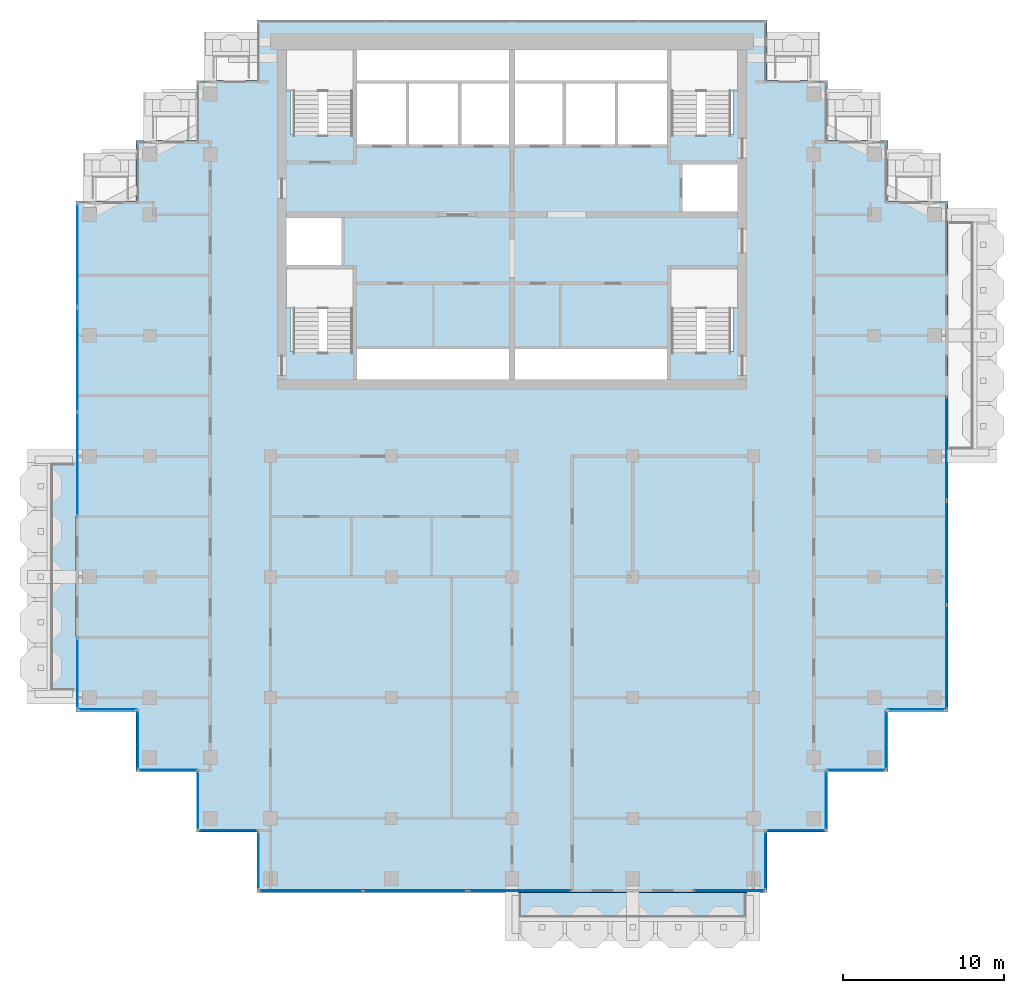
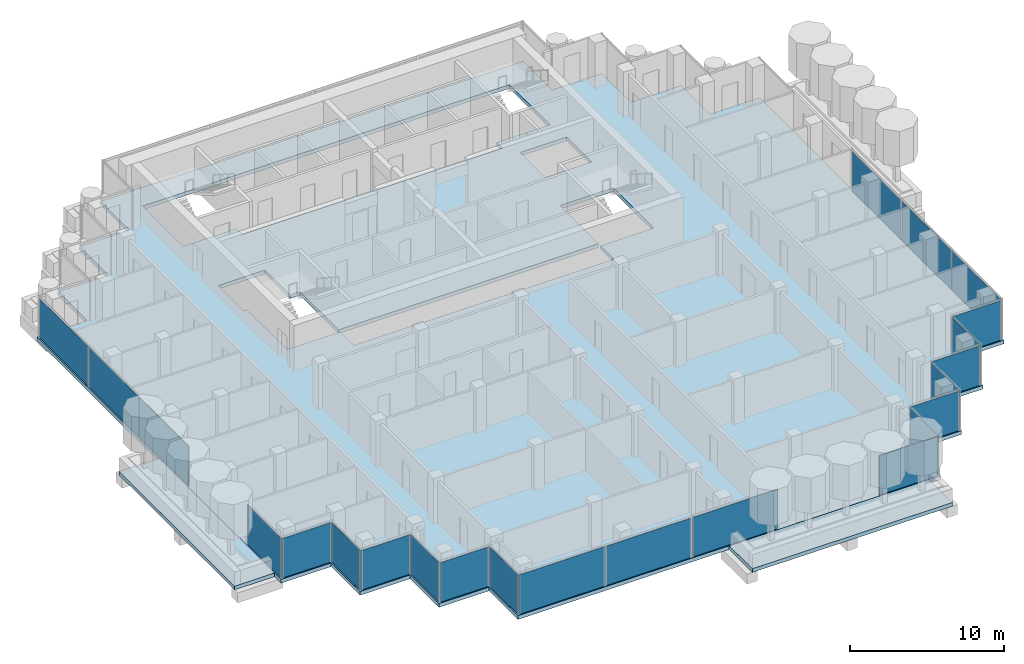
# One storey, part 8 of 19: 23 plates, 3 slabs, 20 elements without a shape of their own.
"""IFC4 building model written with IfcOpenShell, lengths in metres."""

from ifc_helpers import new_model, si_unit, direction, frame, origin, origin_2d, place, context, subcontext, project, spatial, polyline, rectangle, outline, extrude, material, layer, layer_set, type_object, element, aggregate, save


model = new_model("IFC4")

# Units and contexts
model_context = context("Model", 3, precision=1e-05, world=origin(), true_north=direction((0.0, 1.0)))
body_context = subcontext(model_context, "Body", "Model", "MODEL_VIEW")
ifc_project = project(units=[si_unit("LENGTHUNIT", "METRE"), si_unit("AREAUNIT", "SQUARE_METRE"), si_unit("VOLUMEUNIT", "CUBIC_METRE"), si_unit("PLANEANGLEUNIT", "RADIAN"), si_unit("MASSUNIT", "GRAM", prefix="KILO")], contexts=[model_context])

# Site, building, storey
site_placement = place(None, origin())
site = spatial("IfcSite", under=ifc_project, at=site_placement, CompositionType="ELEMENT")
building_placement = place(site_placement, origin())
building = spatial("IfcBuilding", under=site, at=building_placement, Name="Pilkhan Gate Tower", CompositionType="ELEMENT")
storey_placement = place(building_placement, frame((0.0, 0.0, 246.300048828125)))
storey = spatial("IfcBuildingStorey", under=building, at=storey_placement, Name="L64", CompositionType="ELEMENT", Elevation=246.300048828125)

# Slabs
ifc_material_1 = material(Name="Concrete C60/75", Category="concrete")
ifc_layer_1 = layer(ifc_material_1, 0.300048828125)
ifc_layer_set_1 = layer_set([ifc_layer_1], Name="Balcony tray slab TR300")
slab_type_1 = type_object("IfcSlabType", Name="Balcony tray slab TR300", PredefinedType="FLOOR", material=ifc_layer_set_1)
slab_1_placement = place(storey_placement, frame((0.0, 0.0, -0.300048828125)))
element("IfcSlab", 1, at=slab_1_placement, inside=storey, type_object=slab_type_1, Name="Balcony tray L64 S", PredefinedType="FLOOR", context=body_context, shape_type="SweptSolid", body=[
    extrude(outline(polyline([(90.0, 37.39990234375), (90.0, 40.39990234375), (75.0, 40.39990234375), (75.0, 37.39990234375), (90.0, 37.39990234375)])), origin(), (0.0, 0.0, 1.0), 0.300048828125),
])
slab_2_placement = place(storey_placement, frame((0.0, 0.0, -0.300048828125)))
element("IfcSlab", 2, at=slab_2_placement, inside=storey, type_object=slab_type_1, Name="Balcony tray L64 W", PredefinedType="FLOOR", context=body_context, shape_type="SweptSolid", body=[
    extrude(outline(polyline([(47.89990234375, 52.5), (47.89990234375, 67.5), (44.89990234375, 67.5), (44.89990234375, 52.5), (47.89990234375, 52.5)])), origin(), (0.0, 0.0, 1.0), 0.300048828125),
])
ifc_material_2 = material(Name="Concrete C40/50", Category="concrete")
ifc_layer_2 = layer(ifc_material_2, 0.300048828125)
ifc_layer_set_2 = layer_set([ifc_layer_2], Name="Flat plate slab FP300")
slab_type_2 = type_object("IfcSlabType", Name="Flat plate slab FP300", PredefinedType="FLOOR", material=ifc_layer_set_2)
slab_3_placement = place(storey_placement, frame((0.0, 0.0, -0.300048828125)))
element("IfcSlab", 3, at=slab_3_placement, inside=storey, type_object=slab_type_2, Name="Floor slab L64", PredefinedType="FLOOR", context=body_context, shape_type="SweptSolid", body=[
    extrude(outline(polyline([(98.35009765625, 47.89990234375), (94.60009765625, 47.89990234375), (94.60009765625, 44.14990234375), (90.85009765625, 44.14990234375), (90.85009765625, 40.39990234375), (59.14990234375, 40.39990234375), (59.14990234375, 44.14990234375), (55.39990234375, 44.14990234375), (55.39990234375, 47.89990234375), (51.64990234375, 47.89990234375), (51.64990234375, 51.64990234375), (47.89990234375, 51.64990234375), (47.89990234375, 83.35009765625), (51.64990234375, 83.35009765625), (51.64990234375, 87.10009765625), (55.39990234375, 87.10009765625), (55.39990234375, 90.85009765625), (59.14990234375, 90.85009765625), (59.14990234375, 94.60009765625), (90.85009765625, 94.60009765625), (90.85009765625, 90.85009765625), (94.60009765625, 90.85009765625), (94.60009765625, 87.10009765625), (98.35009765625, 87.10009765625), (98.35009765625, 83.35009765625), (102.10009765625, 83.35009765625), (102.10009765625, 51.64990234375), (98.35009765625, 51.64990234375), (98.35009765625, 47.89990234375)]), holes=[polyline([(75.0, 72.25), (84.75, 72.25), (84.75, 74.0), (88.75, 74.0), (88.75, 79.25), (84.75, 79.25), (84.75, 74.25), (75.0, 74.25), (65.25, 74.25), (65.25, 79.25), (64.5, 79.25), (64.5, 82.5), (61.25, 82.5), (61.0, 82.5), (61.0, 79.25), (61.25, 79.25), (61.25, 74.0), (65.25, 74.0), (65.25, 72.25), (75.0, 72.25)]), polyline([(68.5, 86.75), (71.75, 86.75), (75.0, 86.75), (78.25, 86.75), (81.5, 86.75), (84.75, 86.75), (84.75, 87.5), (88.75, 87.5), (88.75, 92.75), (84.75, 92.75), (75.0, 92.75), (65.25, 92.75), (61.25, 92.75), (61.25, 87.5), (65.25, 87.5), (65.25, 86.75), (68.5, 86.75)]), polyline([(85.5, 85.75), (85.5, 82.5), (88.75, 82.5), (89.0, 82.5), (89.0, 85.75), (88.75, 85.75), (85.5, 85.75)])]), origin(), (0.0, 0.0, 1.0), 0.300048828125),
])

# Curtain wall, plates
ifc_material_3 = material(Name="Pale anodised aluminium, clear low-iron double glazing", Category="aluminium")
curtain_wall_type = type_object("IfcCurtainWallType", Name="Office unitised curtain wall CW-O2", PredefinedType="USERDEFINED", material=ifc_material_3)
curtain_wall_1_placement = place(storey_placement, origin())
curtain_wall_1 = element("IfcCurtainWall", 4, at=curtain_wall_1_placement, inside=storey, type_object=curtain_wall_type, Name="Office unitised curtain wall CW-O2 L64 E", ObjectType="UNITISED CURTAIN WALL", PredefinedType="USERDEFINED")
ifc_material_4 = material(Name="Clear low-iron double glazing", Category="glass")
ifc_layer_3 = layer(ifc_material_4, 0.031982421875)
ifc_layer_set_3 = layer_set([ifc_layer_3], Name="Glass panel CW-O2 32")
plate_type = type_object("IfcPlateType", Name="Glass panel CW-O2 32", PredefinedType="CURTAIN_PANEL", material=ifc_layer_set_3)
plate_1_placement = place(storey_placement, frame((102.0, 55.016357421875, 0.0), z_axis=(0.0, 0.0, 1.0), x_axis=(0.0, 1.0, 0.0)))
plate_1 = element("IfcPlate", 5, at=plate_1_placement, type_object=plate_type, Name="CW-O2 panel 1", PredefinedType="CURTAIN_PANEL", context=body_context, shape_type="SweptSolid", body=[
    extrude(rectangle(XDim=6.402587890625, YDim=0.031982421875, at=origin_2d()), origin(), (0.0, 0.0, 1.0), 3.135009765625),
])
plate_2_placement = place(storey_placement, frame((102.0, 61.483642578125, 0.0), z_axis=(0.0, 0.0, 1.0), x_axis=(0.0, 1.0, 0.0)))
plate_2 = element("IfcPlate", 6, at=plate_2_placement, type_object=plate_type, Name="CW-O2 panel 2", PredefinedType="CURTAIN_PANEL", context=body_context, shape_type="SweptSolid", body=[
    extrude(rectangle(XDim=6.402587890625, YDim=0.031982421875, at=origin_2d()), origin(), (0.0, 0.0, 1.0), 3.135009765625),
])
aggregate(curtain_wall_1, [plate_1, plate_2])

# Curtain wall, plate
curtain_wall_2_placement = place(storey_placement, origin())
curtain_wall_2 = element("IfcCurtainWall", 7, at=curtain_wall_2_placement, inside=storey, type_object=curtain_wall_type, Name="Office unitised curtain wall CW-O2 L64 E", ObjectType="UNITISED CURTAIN WALL", PredefinedType="USERDEFINED")
plate_3_placement = place(storey_placement, frame((102.0, 68.0, 0.0), z_axis=(0.0, 0.0, 1.0), x_axis=(0.0, 1.0, 0.0)))
plate_3 = element("IfcPlate", 8, at=plate_3_placement, type_object=plate_type, Name="CW-O2 panel 1", PredefinedType="CURTAIN_PANEL", context=body_context, shape_type="SweptSolid", body=[
    extrude(rectangle(XDim=6.3701171875, YDim=0.031982421875, at=origin_2d()), origin(), (0.0, 0.0, 1.0), 3.135009765625),
])
aggregate(curtain_wall_2, [plate_3])

curtain_wall_3_placement = place(storey_placement, origin())
curtain_wall_3 = element("IfcCurtainWall", 9, at=curtain_wall_3_placement, inside=storey, type_object=curtain_wall_type, Name="Office unitised curtain wall CW-O2 L64 W", ObjectType="UNITISED CURTAIN WALL", PredefinedType="USERDEFINED")
plate_4_placement = place(storey_placement, frame((48.0, 54.0, 0.0), z_axis=(0.0, 0.0, 1.0), x_axis=(0.0, 1.0, 0.0)))
plate_4 = element("IfcPlate", 10, at=plate_4_placement, type_object=plate_type, Name="CW-O2 panel 1", PredefinedType="CURTAIN_PANEL", context=body_context, shape_type="SweptSolid", body=[
    extrude(rectangle(XDim=4.3701171875, YDim=0.031982421875, at=origin_2d()), origin(), (0.0, 0.0, 1.0), 3.135009765625),
])
aggregate(curtain_wall_3, [plate_4])

# Curtain wall, plates
curtain_wall_4_placement = place(storey_placement, origin())
curtain_wall_4 = element("IfcCurtainWall", 11, at=curtain_wall_4_placement, inside=storey, type_object=curtain_wall_type, Name="Office unitised curtain wall CW-O2 L64 W", ObjectType="UNITISED CURTAIN WALL", PredefinedType="USERDEFINED")
plate_5_placement = place(storey_placement, frame((48.0, 67.016357421875, 0.0), z_axis=(0.0, 0.0, 1.0), x_axis=(0.0, 1.0, 0.0)))
plate_5 = element("IfcPlate", 12, at=plate_5_placement, type_object=plate_type, Name="CW-O2 panel 1", PredefinedType="CURTAIN_PANEL", context=body_context, shape_type="SweptSolid", body=[
    extrude(rectangle(XDim=6.402587890625, YDim=0.031982421875, at=origin_2d()), origin(), (0.0, 0.0, 1.0), 3.135009765625),
])
plate_6_placement = place(storey_placement, frame((48.0, 73.483642578125, 0.0), z_axis=(0.0, 0.0, 1.0), x_axis=(0.0, 1.0, 0.0)))
plate_6 = element("IfcPlate", 13, at=plate_6_placement, type_object=plate_type, Name="CW-O2 panel 2", PredefinedType="CURTAIN_PANEL", context=body_context, shape_type="SweptSolid", body=[
    extrude(rectangle(XDim=6.402587890625, YDim=0.031982421875, at=origin_2d()), origin(), (0.0, 0.0, 1.0), 3.135009765625),
])
aggregate(curtain_wall_4, [plate_5, plate_6])

# Curtain wall, plate
curtain_wall_5_placement = place(storey_placement, origin())
curtain_wall_5 = element("IfcCurtainWall", 14, at=curtain_wall_5_placement, inside=storey, type_object=curtain_wall_type, Name="Office unitised curtain wall CW-O2 L64 W", ObjectType="UNITISED CURTAIN WALL", PredefinedType="USERDEFINED")
plate_7_placement = place(storey_placement, frame((48.0, 80.0, 0.0), z_axis=(0.0, 0.0, 1.0), x_axis=(0.0, 1.0, 0.0)))
plate_7 = element("IfcPlate", 15, at=plate_7_placement, type_object=plate_type, Name="CW-O2 panel 1", PredefinedType="CURTAIN_PANEL", context=body_context, shape_type="SweptSolid", body=[
    extrude(rectangle(XDim=6.3701171875, YDim=0.031982421875, at=origin_2d()), origin(), (0.0, 0.0, 1.0), 3.135009765625),
])
aggregate(curtain_wall_5, [plate_7])

curtain_wall_6_placement = place(storey_placement, origin())
curtain_wall_6 = element("IfcCurtainWall", 16, at=curtain_wall_6_placement, inside=storey, type_object=curtain_wall_type, Name="Office unitised curtain wall CW-O2 L64 S", ObjectType="UNITISED CURTAIN WALL", PredefinedType="USERDEFINED")
plate_8_placement = place(storey_placement, frame((49.875, 51.75, 0.0), z_axis=(0.0, 0.0, 1.0), x_axis=(1.0, 0.0, 0.0)))
plate_8 = element("IfcPlate", 17, at=plate_8_placement, type_object=plate_type, Name="CW-O2 panel 1", PredefinedType="CURTAIN_PANEL", context=body_context, shape_type="SweptSolid", body=[
    extrude(rectangle(XDim=3.6201171875, YDim=0.031982421875, at=origin_2d()), origin(), (0.0, 0.0, 1.0), 3.135009765625),
])
aggregate(curtain_wall_6, [plate_8])

curtain_wall_7_placement = place(storey_placement, origin())
curtain_wall_7 = element("IfcCurtainWall", 18, at=curtain_wall_7_placement, inside=storey, type_object=curtain_wall_type, Name="Office unitised curtain wall CW-O2 L64 W", ObjectType="UNITISED CURTAIN WALL", PredefinedType="USERDEFINED")
plate_9_placement = place(storey_placement, frame((51.75, 49.875, 0.0), z_axis=(0.0, 0.0, 1.0), x_axis=(0.0, 1.0, 0.0)))
plate_9 = element("IfcPlate", 19, at=plate_9_placement, type_object=plate_type, Name="CW-O2 panel 1", PredefinedType="CURTAIN_PANEL", context=body_context, shape_type="SweptSolid", body=[
    extrude(rectangle(XDim=3.6201171875, YDim=0.031982421875, at=origin_2d()), origin(), (0.0, 0.0, 1.0), 3.135009765625),
])
aggregate(curtain_wall_7, [plate_9])

curtain_wall_8_placement = place(storey_placement, origin())
curtain_wall_8 = element("IfcCurtainWall", 20, at=curtain_wall_8_placement, inside=storey, type_object=curtain_wall_type, Name="Office unitised curtain wall CW-O2 L64 S", ObjectType="UNITISED CURTAIN WALL", PredefinedType="USERDEFINED")
plate_10_placement = place(storey_placement, frame((53.625, 48.0, 0.0), z_axis=(0.0, 0.0, 1.0), x_axis=(1.0, 0.0, 0.0)))
plate_10 = element("IfcPlate", 21, at=plate_10_placement, type_object=plate_type, Name="CW-O2 panel 1", PredefinedType="CURTAIN_PANEL", context=body_context, shape_type="SweptSolid", body=[
    extrude(rectangle(XDim=3.6201171875, YDim=0.031982421875, at=origin_2d()), origin(), (0.0, 0.0, 1.0), 3.135009765625),
])
aggregate(curtain_wall_8, [plate_10])

curtain_wall_9_placement = place(storey_placement, origin())
curtain_wall_9 = element("IfcCurtainWall", 22, at=curtain_wall_9_placement, inside=storey, type_object=curtain_wall_type, Name="Office unitised curtain wall CW-O2 L64 W", ObjectType="UNITISED CURTAIN WALL", PredefinedType="USERDEFINED")
plate_11_placement = place(storey_placement, frame((55.5, 46.125, 0.0), z_axis=(0.0, 0.0, 1.0), x_axis=(0.0, 1.0, 0.0)))
plate_11 = element("IfcPlate", 23, at=plate_11_placement, type_object=plate_type, Name="CW-O2 panel 1", PredefinedType="CURTAIN_PANEL", context=body_context, shape_type="SweptSolid", body=[
    extrude(rectangle(XDim=3.6201171875, YDim=0.031982421875, at=origin_2d()), origin(), (0.0, 0.0, 1.0), 3.135009765625),
])
aggregate(curtain_wall_9, [plate_11])

curtain_wall_10_placement = place(storey_placement, origin())
curtain_wall_10 = element("IfcCurtainWall", 24, at=curtain_wall_10_placement, inside=storey, type_object=curtain_wall_type, Name="Office unitised curtain wall CW-O2 L64 S", ObjectType="UNITISED CURTAIN WALL", PredefinedType="USERDEFINED")
plate_12_placement = place(storey_placement, frame((57.375, 44.25, 0.0), z_axis=(0.0, 0.0, 1.0), x_axis=(1.0, 0.0, 0.0)))
plate_12 = element("IfcPlate", 25, at=plate_12_placement, type_object=plate_type, Name="CW-O2 panel 1", PredefinedType="CURTAIN_PANEL", context=body_context, shape_type="SweptSolid", body=[
    extrude(rectangle(XDim=3.6201171875, YDim=0.031982421875, at=origin_2d()), origin(), (0.0, 0.0, 1.0), 3.135009765625),
])
aggregate(curtain_wall_10, [plate_12])

curtain_wall_11_placement = place(storey_placement, origin())
curtain_wall_11 = element("IfcCurtainWall", 26, at=curtain_wall_11_placement, inside=storey, type_object=curtain_wall_type, Name="Office unitised curtain wall CW-O2 L64 W", ObjectType="UNITISED CURTAIN WALL", PredefinedType="USERDEFINED")
plate_13_placement = place(storey_placement, frame((59.25, 42.375, 0.0), z_axis=(0.0, 0.0, 1.0), x_axis=(0.0, 1.0, 0.0)))
plate_13 = element("IfcPlate", 27, at=plate_13_placement, type_object=plate_type, Name="CW-O2 panel 1", PredefinedType="CURTAIN_PANEL", context=body_context, shape_type="SweptSolid", body=[
    extrude(rectangle(XDim=3.6201171875, YDim=0.031982421875, at=origin_2d()), origin(), (0.0, 0.0, 1.0), 3.135009765625),
])
aggregate(curtain_wall_11, [plate_13])

# Curtain wall, plates
curtain_wall_12_placement = place(storey_placement, origin())
curtain_wall_12 = element("IfcCurtainWall", 28, at=curtain_wall_12_placement, inside=storey, type_object=curtain_wall_type, Name="Office unitised curtain wall CW-O2 L64 S", ObjectType="UNITISED CURTAIN WALL", PredefinedType="USERDEFINED")
plate_14_placement = place(storey_placement, frame((62.516357421875, 40.5, 0.0), z_axis=(0.0, 0.0, 1.0), x_axis=(1.0, 0.0, 0.0)))
plate_14 = element("IfcPlate", 29, at=plate_14_placement, type_object=plate_type, Name="CW-O2 panel 1", PredefinedType="CURTAIN_PANEL", context=body_context, shape_type="SweptSolid", body=[
    extrude(rectangle(XDim=6.402587890625, YDim=0.031982421875, at=origin_2d()), origin(), (0.0, 0.0, 1.0), 3.135009765625),
])
plate_15_placement = place(storey_placement, frame((68.983642578125, 40.5, 0.0), z_axis=(0.0, 0.0, 1.0), x_axis=(1.0, 0.0, 0.0)))
plate_15 = element("IfcPlate", 30, at=plate_15_placement, type_object=plate_type, Name="CW-O2 panel 2", PredefinedType="CURTAIN_PANEL", context=body_context, shape_type="SweptSolid", body=[
    extrude(rectangle(XDim=6.402587890625, YDim=0.031982421875, at=origin_2d()), origin(), (0.0, 0.0, 1.0), 3.135009765625),
])
aggregate(curtain_wall_12, [plate_14, plate_15])

# Curtain wall, plate
curtain_wall_13_placement = place(storey_placement, origin())
curtain_wall_13 = element("IfcCurtainWall", 31, at=curtain_wall_13_placement, inside=storey, type_object=curtain_wall_type, Name="Office unitised curtain wall CW-O2 L64 S", ObjectType="UNITISED CURTAIN WALL", PredefinedType="USERDEFINED")
plate_16_placement = place(storey_placement, frame((75.5, 40.5, 0.0), z_axis=(0.0, 0.0, 1.0), x_axis=(1.0, 0.0, 0.0)))
plate_16 = element("IfcPlate", 32, at=plate_16_placement, type_object=plate_type, Name="CW-O2 panel 1", PredefinedType="CURTAIN_PANEL", context=body_context, shape_type="SweptSolid", body=[
    extrude(rectangle(XDim=6.3701171875, YDim=0.031982421875, at=origin_2d()), origin(), (0.0, 0.0, 1.0), 3.135009765625),
])
aggregate(curtain_wall_13, [plate_16])

curtain_wall_14_placement = place(storey_placement, origin())
curtain_wall_14 = element("IfcCurtainWall", 33, at=curtain_wall_14_placement, inside=storey, type_object=curtain_wall_type, Name="Office unitised curtain wall CW-O2 L64 S", ObjectType="UNITISED CURTAIN WALL", PredefinedType="USERDEFINED")
plate_17_placement = place(storey_placement, frame((88.5, 40.5, 0.0), z_axis=(0.0, 0.0, 1.0), x_axis=(1.0, 0.0, 0.0)))
plate_17 = element("IfcPlate", 34, at=plate_17_placement, type_object=plate_type, Name="CW-O2 panel 1", PredefinedType="CURTAIN_PANEL", context=body_context, shape_type="SweptSolid", body=[
    extrude(rectangle(XDim=4.3701171875, YDim=0.031982421875, at=origin_2d()), origin(), (0.0, 0.0, 1.0), 3.135009765625),
])
aggregate(curtain_wall_14, [plate_17])

curtain_wall_15_placement = place(storey_placement, origin())
curtain_wall_15 = element("IfcCurtainWall", 35, at=curtain_wall_15_placement, inside=storey, type_object=curtain_wall_type, Name="Office unitised curtain wall CW-O2 L64 E", ObjectType="UNITISED CURTAIN WALL", PredefinedType="USERDEFINED")
plate_18_placement = place(storey_placement, frame((90.75, 42.375, 0.0), z_axis=(0.0, 0.0, 1.0), x_axis=(0.0, 1.0, 0.0)))
plate_18 = element("IfcPlate", 36, at=plate_18_placement, type_object=plate_type, Name="CW-O2 panel 1", PredefinedType="CURTAIN_PANEL", context=body_context, shape_type="SweptSolid", body=[
    extrude(rectangle(XDim=3.6201171875, YDim=0.031982421875, at=origin_2d()), origin(), (0.0, 0.0, 1.0), 3.135009765625),
])
aggregate(curtain_wall_15, [plate_18])

curtain_wall_16_placement = place(storey_placement, origin())
curtain_wall_16 = element("IfcCurtainWall", 37, at=curtain_wall_16_placement, inside=storey, type_object=curtain_wall_type, Name="Office unitised curtain wall CW-O2 L64 S", ObjectType="UNITISED CURTAIN WALL", PredefinedType="USERDEFINED")
plate_19_placement = place(storey_placement, frame((92.625, 44.25, 0.0), z_axis=(0.0, 0.0, 1.0), x_axis=(1.0, 0.0, 0.0)))
plate_19 = element("IfcPlate", 38, at=plate_19_placement, type_object=plate_type, Name="CW-O2 panel 1", PredefinedType="CURTAIN_PANEL", context=body_context, shape_type="SweptSolid", body=[
    extrude(rectangle(XDim=3.6201171875, YDim=0.031982421875, at=origin_2d()), origin(), (0.0, 0.0, 1.0), 3.135009765625),
])
aggregate(curtain_wall_16, [plate_19])

curtain_wall_17_placement = place(storey_placement, origin())
curtain_wall_17 = element("IfcCurtainWall", 39, at=curtain_wall_17_placement, inside=storey, type_object=curtain_wall_type, Name="Office unitised curtain wall CW-O2 L64 E", ObjectType="UNITISED CURTAIN WALL", PredefinedType="USERDEFINED")
plate_20_placement = place(storey_placement, frame((94.5, 46.125, 0.0), z_axis=(0.0, 0.0, 1.0), x_axis=(0.0, 1.0, 0.0)))
plate_20 = element("IfcPlate", 40, at=plate_20_placement, type_object=plate_type, Name="CW-O2 panel 1", PredefinedType="CURTAIN_PANEL", context=body_context, shape_type="SweptSolid", body=[
    extrude(rectangle(XDim=3.6201171875, YDim=0.031982421875, at=origin_2d()), origin(), (0.0, 0.0, 1.0), 3.135009765625),
])
aggregate(curtain_wall_17, [plate_20])

curtain_wall_18_placement = place(storey_placement, origin())
curtain_wall_18 = element("IfcCurtainWall", 41, at=curtain_wall_18_placement, inside=storey, type_object=curtain_wall_type, Name="Office unitised curtain wall CW-O2 L64 S", ObjectType="UNITISED CURTAIN WALL", PredefinedType="USERDEFINED")
plate_21_placement = place(storey_placement, frame((96.375, 48.0, 0.0), z_axis=(0.0, 0.0, 1.0), x_axis=(1.0, 0.0, 0.0)))
plate_21 = element("IfcPlate", 42, at=plate_21_placement, type_object=plate_type, Name="CW-O2 panel 1", PredefinedType="CURTAIN_PANEL", context=body_context, shape_type="SweptSolid", body=[
    extrude(rectangle(XDim=3.6201171875, YDim=0.031982421875, at=origin_2d()), origin(), (0.0, 0.0, 1.0), 3.135009765625),
])
aggregate(curtain_wall_18, [plate_21])

curtain_wall_19_placement = place(storey_placement, origin())
curtain_wall_19 = element("IfcCurtainWall", 43, at=curtain_wall_19_placement, inside=storey, type_object=curtain_wall_type, Name="Office unitised curtain wall CW-O2 L64 E", ObjectType="UNITISED CURTAIN WALL", PredefinedType="USERDEFINED")
plate_22_placement = place(storey_placement, frame((98.25, 49.875, 0.0), z_axis=(0.0, 0.0, 1.0), x_axis=(0.0, 1.0, 0.0)))
plate_22 = element("IfcPlate", 44, at=plate_22_placement, type_object=plate_type, Name="CW-O2 panel 1", PredefinedType="CURTAIN_PANEL", context=body_context, shape_type="SweptSolid", body=[
    extrude(rectangle(XDim=3.6201171875, YDim=0.031982421875, at=origin_2d()), origin(), (0.0, 0.0, 1.0), 3.135009765625),
])
aggregate(curtain_wall_19, [plate_22])

curtain_wall_20_placement = place(storey_placement, origin())
curtain_wall_20 = element("IfcCurtainWall", 45, at=curtain_wall_20_placement, inside=storey, type_object=curtain_wall_type, Name="Office unitised curtain wall CW-O2 L64 S", ObjectType="UNITISED CURTAIN WALL", PredefinedType="USERDEFINED")
plate_23_placement = place(storey_placement, frame((100.125, 51.75, 0.0), z_axis=(0.0, 0.0, 1.0), x_axis=(1.0, 0.0, 0.0)))
plate_23 = element("IfcPlate", 46, at=plate_23_placement, type_object=plate_type, Name="CW-O2 panel 1", PredefinedType="CURTAIN_PANEL", context=body_context, shape_type="SweptSolid", body=[
    extrude(rectangle(XDim=3.6201171875, YDim=0.031982421875, at=origin_2d()), origin(), (0.0, 0.0, 1.0), 3.135009765625),
])
aggregate(curtain_wall_20, [plate_23])

save(model, "model.ifc")
